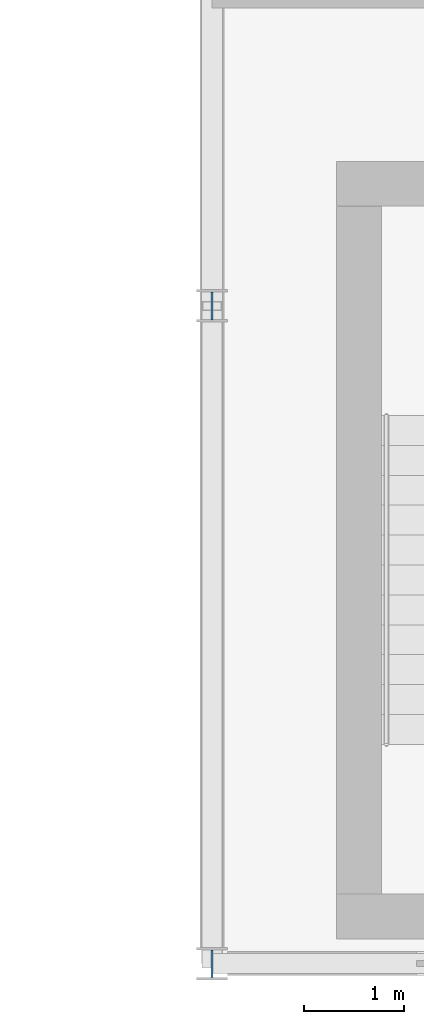
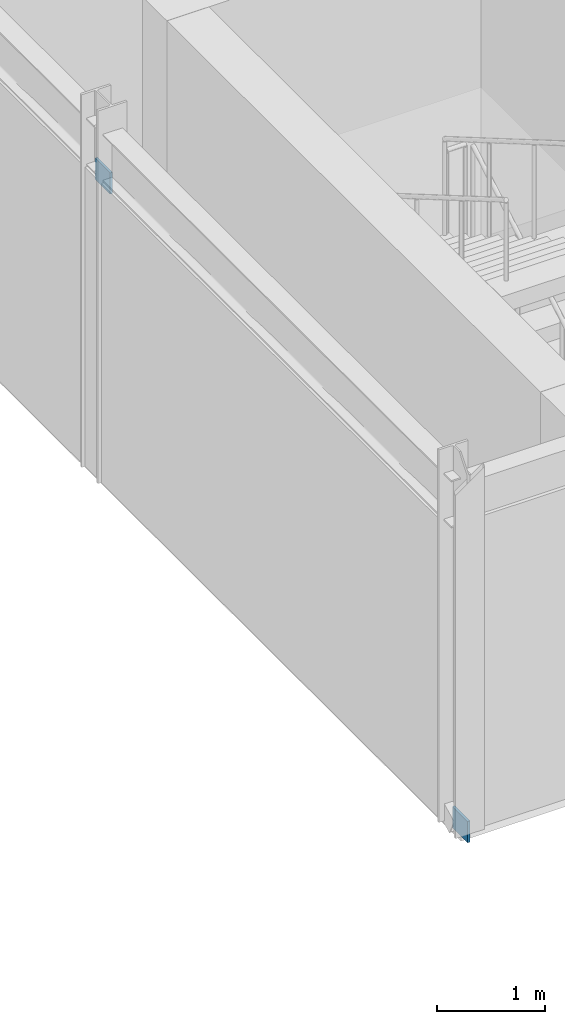
# One storey, part 103 of 130: 2 plates.
"""IFC4 building model written with IfcOpenShell, lengths in metres."""

from ifc_helpers import new_model, si_unit, direction, frame, origin, origin_2d, place, context, subcontext, project, spatial, rectangle, extrude, material, layer, layer_set, type_object, element, save


model = new_model("IFC4")

# Units and contexts
model_context = context("Model", 3, precision=1e-05, world=origin(), true_north=direction((0.0, 1.0)))
body_context = subcontext(model_context, "Body", "Model", "MODEL_VIEW")
ifc_project = project(units=[si_unit("LENGTHUNIT", "METRE"), si_unit("AREAUNIT", "SQUARE_METRE"), si_unit("VOLUMEUNIT", "CUBIC_METRE"), si_unit("PLANEANGLEUNIT", "RADIAN"), si_unit("MASSUNIT", "GRAM", prefix="KILO")], contexts=[model_context])

# Site, building, storey
site_placement = place(None, origin())
site = spatial("IfcSite", under=ifc_project, at=site_placement, CompositionType="ELEMENT")
building_placement = place(site_placement, origin())
building = spatial("IfcBuilding", under=site, at=building_placement, Name="Karori Crest Natural Sciences Institute", CompositionType="ELEMENT")
storey_placement = place(building_placement, frame((0.0, 0.0, 17.5)))
storey = spatial("IfcBuildingStorey", under=building, at=storey_placement, Name="L04", CompositionType="ELEMENT", Elevation=17.5)

# Plates
ifc_material = material(Name="Structural steel AS/NZS 3679.1 Grade 350", Category="steel")
ifc_layer = layer(ifc_material, 0.02490234375, Name="Structural steel AS/NZS 3679.1 Grade 350")
ifc_layer_set = layer_set([ifc_layer], Name="Structural steel AS/NZS 3679.1 Grade 350")
plate_type = type_object("IfcPlateType", Name="PLT-06-EL", PredefinedType="SHEET", material=ifc_layer_set)
for number, where, z_axis, x_axis, name in (
    (1, (103.60009765625, 0.800048828125, -0.10986328125), (0.0, 0.0, 1.0), (0.0, 1.0, 0.0), "Brace gusset plate EP-0404"),
    (2, (103.60009765625, 7.39990234375, 3.1982421875), (0.0, 0.0, 1.0), (0.0, 1.0, 0.0), "Brace gusset plate EP-0405"),
):
    element("IfcPlate", number, at=place(storey_placement, frame(where, z_axis=z_axis, x_axis=x_axis)), inside=storey, type_object=plate_type, Name=name, PredefinedType="SHEET", context=body_context, shape_type="SweptSolid", body=[
        extrude(rectangle(XDim=0.280029296875, YDim=0.02490234375, at=origin_2d()), origin(), (0.0, 0.0, 1.0), 0.239990234375),
    ])

save(model, "model.ifc")
